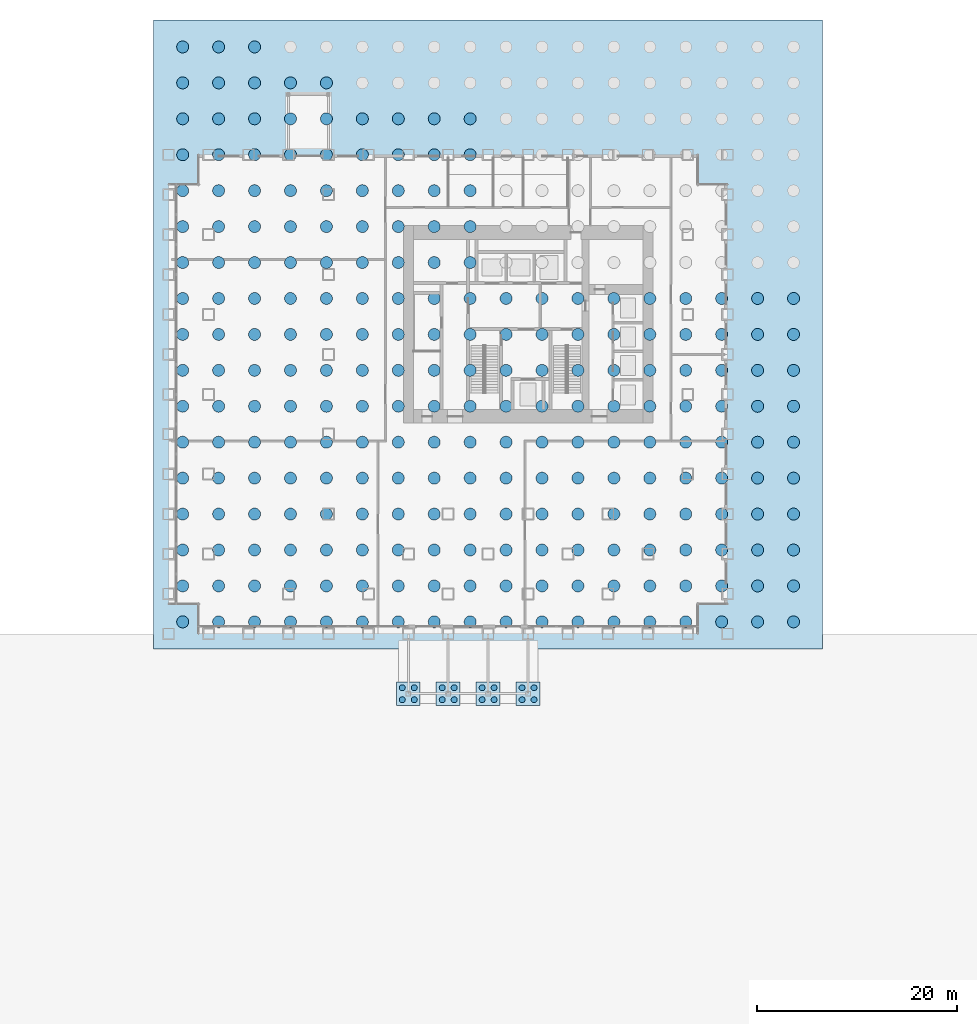
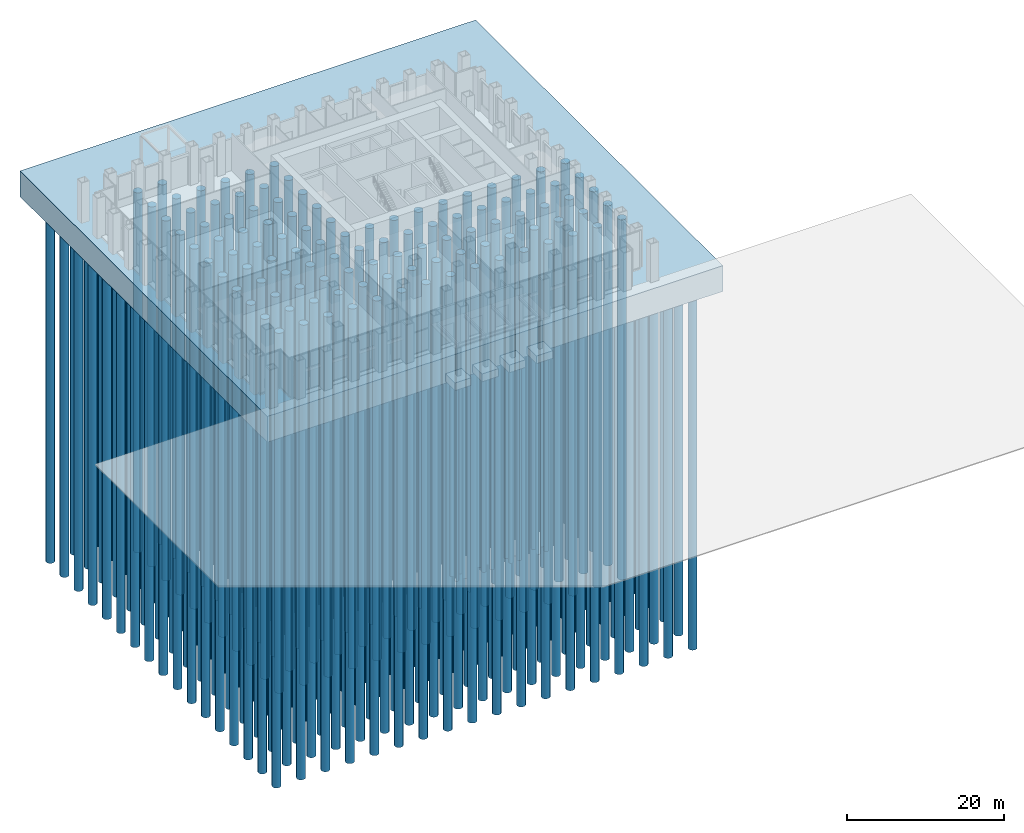
# One storey, part 1 of 17: 249 piles, 5 footings.
"""IFC4 building model written with IfcOpenShell, lengths in metres."""

from ifc_helpers import new_model, si_unit, direction, frame, origin, origin_2d, place, context, subcontext, project, spatial, polyline, rectangle, circle, outline, extrude, material, layer, layer_set, material_profile, profile_set, type_object, element, save


model = new_model("IFC4")

# Units and contexts
model_context = context("Model", 3, precision=1e-05, world=origin(), true_north=direction((0.0, 1.0)))
body_context = subcontext(model_context, "Body", "Model", "MODEL_VIEW")
ifc_project = project(units=[si_unit("LENGTHUNIT", "METRE"), si_unit("AREAUNIT", "SQUARE_METRE"), si_unit("VOLUMEUNIT", "CUBIC_METRE"), si_unit("PLANEANGLEUNIT", "RADIAN"), si_unit("MASSUNIT", "GRAM", prefix="KILO")], contexts=[model_context])

# Site, building, storey
site_placement = place(None, origin())
site = spatial("IfcSite", under=ifc_project, at=site_placement, CompositionType="ELEMENT")
building_placement = place(site_placement, origin())
building = spatial("IfcBuilding", under=site, at=building_placement, Name="Rimbunsela Tower", CompositionType="ELEMENT")
storey_placement = place(building_placement, origin())
storey = spatial("IfcBuildingStorey", under=building, at=storey_placement, Name="L00", CompositionType="ELEMENT", Elevation=0.0)

# Piles
ifc_material_1 = material(Name="Concrete fc' 35 MPa", Category="concrete")
ifc_material_profile_1 = material_profile(ifc_material_1, circle(Radius=0.60009765625, at=origin_2d()), Name="BP D1200")
ifc_profile_set_1 = profile_set([ifc_material_profile_1], Name="Concrete fc' 35 MPa")
pile_type_1 = type_object("IfcPileType", Name="Bored pile D1200", PredefinedType="BORED", material=ifc_profile_set_1)
for number, where, z_axis, x_axis, name in (
    (1, (-4.60009765625, -2.800048828125, -4.300048828125), (0.0, 0.0, -1.0), (1.0, 0.0, 0.0), "Bored pile 1-1"),
    (2, (-4.60009765625, 0.800048828125, -4.300048828125), (0.0, 0.0, -1.0), (1.0, 0.0, 0.0), "Bored pile 1-2"),
    (3, (-4.60009765625, 4.39990234375, -4.300048828125), (0.0, 0.0, -1.0), (1.0, 0.0, 0.0), "Bored pile 1-3"),
    (4, (-4.60009765625, 8.0, -4.300048828125), (0.0, 0.0, -1.0), (1.0, 0.0, 0.0), "Bored pile 1-4"),
    (5, (-4.60009765625, 11.60009765625, -4.300048828125), (0.0, 0.0, -1.0), (1.0, 0.0, 0.0), "Bored pile 1-5"),
    (6, (-4.60009765625, 15.199951171875, -4.300048828125), (0.0, 0.0, -1.0), (1.0, 0.0, 0.0), "Bored pile 1-6"),
    (7, (-4.60009765625, 18.800048828125, -4.300048828125), (0.0, 0.0, -1.0), (1.0, 0.0, 0.0), "Bored pile 1-7"),
    (8, (-4.60009765625, 22.39990234375, -4.300048828125), (0.0, 0.0, -1.0), (1.0, 0.0, 0.0), "Bored pile 1-8"),
    (9, (-4.60009765625, 26.0, -4.300048828125), (0.0, 0.0, -1.0), (1.0, 0.0, 0.0), "Bored pile 1-9"),
    (10, (-4.60009765625, 29.60009765625, -4.300048828125), (0.0, 0.0, -1.0), (1.0, 0.0, 0.0), "Bored pile 1-10"),
    (11, (-4.60009765625, 33.199951171875, -4.300048828125), (0.0, 0.0, -1.0), (1.0, 0.0, 0.0), "Bored pile 1-11"),
    (12, (-4.60009765625, 36.800048828125, -4.300048828125), (0.0, 0.0, -1.0), (1.0, 0.0, 0.0), "Bored pile 1-12"),
    (13, (-4.60009765625, 40.39990234375, -4.300048828125), (0.0, 0.0, -1.0), (1.0, 0.0, 0.0), "Bored pile 1-13"),
    (14, (-4.60009765625, 44.0, -4.300048828125), (0.0, 0.0, -1.0), (1.0, 0.0, 0.0), "Bored pile 1-14"),
    (15, (-4.60009765625, 47.60009765625, -4.300048828125), (0.0, 0.0, -1.0), (1.0, 0.0, 0.0), "Bored pile 1-15"),
    (16, (-4.60009765625, 51.199951171875, -4.300048828125), (0.0, 0.0, -1.0), (1.0, 0.0, 0.0), "Bored pile 1-16"),
    (17, (-4.60009765625, 54.800048828125, -4.300048828125), (0.0, 0.0, -1.0), (1.0, 0.0, 0.0), "Bored pile 1-17"),
    (18, (-1.0, -2.800048828125, -4.300048828125), (0.0, 0.0, -1.0), (1.0, 0.0, 0.0), "Bored pile 2-1"),
    (19, (-1.0, 0.800048828125, -4.300048828125), (0.0, 0.0, -1.0), (1.0, 0.0, 0.0), "Bored pile 2-2"),
    (20, (-1.0, 4.39990234375, -4.300048828125), (0.0, 0.0, -1.0), (1.0, 0.0, 0.0), "Bored pile 2-3"),
    (21, (-1.0, 8.0, -4.300048828125), (0.0, 0.0, -1.0), (1.0, 0.0, 0.0), "Bored pile 2-4"),
    (22, (-1.0, 11.60009765625, -4.300048828125), (0.0, 0.0, -1.0), (1.0, 0.0, 0.0), "Bored pile 2-5"),
    (23, (-1.0, 15.199951171875, -4.300048828125), (0.0, 0.0, -1.0), (1.0, 0.0, 0.0), "Bored pile 2-6"),
    (24, (-1.0, 18.800048828125, -4.300048828125), (0.0, 0.0, -1.0), (1.0, 0.0, 0.0), "Bored pile 2-7"),
    (25, (-1.0, 22.39990234375, -4.300048828125), (0.0, 0.0, -1.0), (1.0, 0.0, 0.0), "Bored pile 2-8"),
    (26, (-1.0, 26.0, -4.300048828125), (0.0, 0.0, -1.0), (1.0, 0.0, 0.0), "Bored pile 2-9"),
    (27, (-1.0, 29.60009765625, -4.300048828125), (0.0, 0.0, -1.0), (1.0, 0.0, 0.0), "Bored pile 2-10"),
    (28, (-1.0, 33.199951171875, -4.300048828125), (0.0, 0.0, -1.0), (1.0, 0.0, 0.0), "Bored pile 2-11"),
    (29, (-1.0, 36.800048828125, -4.300048828125), (0.0, 0.0, -1.0), (1.0, 0.0, 0.0), "Bored pile 2-12"),
    (30, (-1.0, 40.39990234375, -4.300048828125), (0.0, 0.0, -1.0), (1.0, 0.0, 0.0), "Bored pile 2-13"),
    (31, (-1.0, 44.0, -4.300048828125), (0.0, 0.0, -1.0), (1.0, 0.0, 0.0), "Bored pile 2-14"),
    (32, (-1.0, 47.60009765625, -4.300048828125), (0.0, 0.0, -1.0), (1.0, 0.0, 0.0), "Bored pile 2-15"),
    (33, (-1.0, 51.199951171875, -4.300048828125), (0.0, 0.0, -1.0), (1.0, 0.0, 0.0), "Bored pile 2-16"),
    (34, (-1.0, 54.800048828125, -4.300048828125), (0.0, 0.0, -1.0), (1.0, 0.0, 0.0), "Bored pile 2-17"),
    (35, (2.60009765625, -2.800048828125, -4.300048828125), (0.0, 0.0, -1.0), (1.0, 0.0, 0.0), "Bored pile 3-1"),
    (36, (2.60009765625, 0.800048828125, -4.300048828125), (0.0, 0.0, -1.0), (1.0, 0.0, 0.0), "Bored pile 3-2"),
    (37, (2.60009765625, 4.39990234375, -4.300048828125), (0.0, 0.0, -1.0), (1.0, 0.0, 0.0), "Bored pile 3-3"),
    (38, (2.60009765625, 8.0, -4.300048828125), (0.0, 0.0, -1.0), (1.0, 0.0, 0.0), "Bored pile 3-4"),
    (39, (2.60009765625, 11.60009765625, -4.300048828125), (0.0, 0.0, -1.0), (1.0, 0.0, 0.0), "Bored pile 3-5"),
    (40, (2.60009765625, 15.199951171875, -4.300048828125), (0.0, 0.0, -1.0), (1.0, 0.0, 0.0), "Bored pile 3-6"),
    (41, (2.60009765625, 18.800048828125, -4.300048828125), (0.0, 0.0, -1.0), (1.0, 0.0, 0.0), "Bored pile 3-7"),
    (42, (2.60009765625, 22.39990234375, -4.300048828125), (0.0, 0.0, -1.0), (1.0, 0.0, 0.0), "Bored pile 3-8"),
    (43, (2.60009765625, 26.0, -4.300048828125), (0.0, 0.0, -1.0), (1.0, 0.0, 0.0), "Bored pile 3-9"),
    (44, (2.60009765625, 29.60009765625, -4.300048828125), (0.0, 0.0, -1.0), (1.0, 0.0, 0.0), "Bored pile 3-10"),
    (45, (2.60009765625, 33.199951171875, -4.300048828125), (0.0, 0.0, -1.0), (1.0, 0.0, 0.0), "Bored pile 3-11"),
    (46, (2.60009765625, 36.800048828125, -4.300048828125), (0.0, 0.0, -1.0), (1.0, 0.0, 0.0), "Bored pile 3-12"),
    (47, (2.60009765625, 40.39990234375, -4.300048828125), (0.0, 0.0, -1.0), (1.0, 0.0, 0.0), "Bored pile 3-13"),
    (48, (2.60009765625, 44.0, -4.300048828125), (0.0, 0.0, -1.0), (1.0, 0.0, 0.0), "Bored pile 3-14"),
    (49, (2.60009765625, 47.60009765625, -4.300048828125), (0.0, 0.0, -1.0), (1.0, 0.0, 0.0), "Bored pile 3-15"),
    (50, (2.60009765625, 51.199951171875, -4.300048828125), (0.0, 0.0, -1.0), (1.0, 0.0, 0.0), "Bored pile 3-16"),
    (51, (2.60009765625, 54.800048828125, -4.300048828125), (0.0, 0.0, -1.0), (1.0, 0.0, 0.0), "Bored pile 3-17"),
    (52, (6.199951171875, -2.800048828125, -4.300048828125), (0.0, 0.0, -1.0), (1.0, 0.0, 0.0), "Bored pile 4-1"),
    (53, (6.199951171875, 0.800048828125, -4.300048828125), (0.0, 0.0, -1.0), (1.0, 0.0, 0.0), "Bored pile 4-2"),
    (54, (6.199951171875, 4.39990234375, -4.300048828125), (0.0, 0.0, -1.0), (1.0, 0.0, 0.0), "Bored pile 4-3"),
    (55, (6.199951171875, 8.0, -4.300048828125), (0.0, 0.0, -1.0), (1.0, 0.0, 0.0), "Bored pile 4-4"),
    (56, (6.199951171875, 11.60009765625, -4.300048828125), (0.0, 0.0, -1.0), (1.0, 0.0, 0.0), "Bored pile 4-5"),
    (57, (6.199951171875, 15.199951171875, -4.300048828125), (0.0, 0.0, -1.0), (1.0, 0.0, 0.0), "Bored pile 4-6"),
    (58, (6.199951171875, 18.800048828125, -4.300048828125), (0.0, 0.0, -1.0), (1.0, 0.0, 0.0), "Bored pile 4-7"),
    (59, (6.199951171875, 22.39990234375, -4.300048828125), (0.0, 0.0, -1.0), (1.0, 0.0, 0.0), "Bored pile 4-8"),
    (60, (6.199951171875, 26.0, -4.300048828125), (0.0, 0.0, -1.0), (1.0, 0.0, 0.0), "Bored pile 4-9"),
    (61, (6.199951171875, 29.60009765625, -4.300048828125), (0.0, 0.0, -1.0), (1.0, 0.0, 0.0), "Bored pile 4-10"),
    (62, (6.199951171875, 33.199951171875, -4.300048828125), (0.0, 0.0, -1.0), (1.0, 0.0, 0.0), "Bored pile 4-11"),
    (63, (6.199951171875, 36.800048828125, -4.300048828125), (0.0, 0.0, -1.0), (1.0, 0.0, 0.0), "Bored pile 4-12"),
    (64, (6.199951171875, 40.39990234375, -4.300048828125), (0.0, 0.0, -1.0), (1.0, 0.0, 0.0), "Bored pile 4-13"),
    (65, (6.199951171875, 44.0, -4.300048828125), (0.0, 0.0, -1.0), (1.0, 0.0, 0.0), "Bored pile 4-14"),
    (66, (6.199951171875, 47.60009765625, -4.300048828125), (0.0, 0.0, -1.0), (1.0, 0.0, 0.0), "Bored pile 4-15"),
    (67, (6.199951171875, 51.199951171875, -4.300048828125), (0.0, 0.0, -1.0), (1.0, 0.0, 0.0), "Bored pile 4-16"),
    (68, (9.800048828125, -2.800048828125, -4.300048828125), (0.0, 0.0, -1.0), (1.0, 0.0, 0.0), "Bored pile 5-1"),
    (69, (9.800048828125, 0.800048828125, -4.300048828125), (0.0, 0.0, -1.0), (1.0, 0.0, 0.0), "Bored pile 5-2"),
    (70, (9.800048828125, 4.39990234375, -4.300048828125), (0.0, 0.0, -1.0), (1.0, 0.0, 0.0), "Bored pile 5-3"),
    (71, (9.800048828125, 8.0, -4.300048828125), (0.0, 0.0, -1.0), (1.0, 0.0, 0.0), "Bored pile 5-4"),
    (72, (9.800048828125, 11.60009765625, -4.300048828125), (0.0, 0.0, -1.0), (1.0, 0.0, 0.0), "Bored pile 5-5"),
    (73, (9.800048828125, 15.199951171875, -4.300048828125), (0.0, 0.0, -1.0), (1.0, 0.0, 0.0), "Bored pile 5-6"),
    (74, (9.800048828125, 18.800048828125, -4.300048828125), (0.0, 0.0, -1.0), (1.0, 0.0, 0.0), "Bored pile 5-7"),
    (75, (9.800048828125, 22.39990234375, -4.300048828125), (0.0, 0.0, -1.0), (1.0, 0.0, 0.0), "Bored pile 5-8"),
    (76, (9.800048828125, 26.0, -4.300048828125), (0.0, 0.0, -1.0), (1.0, 0.0, 0.0), "Bored pile 5-9"),
    (77, (9.800048828125, 29.60009765625, -4.300048828125), (0.0, 0.0, -1.0), (1.0, 0.0, 0.0), "Bored pile 5-10"),
    (78, (9.800048828125, 33.199951171875, -4.300048828125), (0.0, 0.0, -1.0), (1.0, 0.0, 0.0), "Bored pile 5-11"),
    (79, (9.800048828125, 36.800048828125, -4.300048828125), (0.0, 0.0, -1.0), (1.0, 0.0, 0.0), "Bored pile 5-12"),
    (80, (9.800048828125, 40.39990234375, -4.300048828125), (0.0, 0.0, -1.0), (1.0, 0.0, 0.0), "Bored pile 5-13"),
    (81, (9.800048828125, 44.0, -4.300048828125), (0.0, 0.0, -1.0), (1.0, 0.0, 0.0), "Bored pile 5-14"),
    (82, (9.800048828125, 47.60009765625, -4.300048828125), (0.0, 0.0, -1.0), (1.0, 0.0, 0.0), "Bored pile 5-15"),
    (83, (9.800048828125, 51.199951171875, -4.300048828125), (0.0, 0.0, -1.0), (1.0, 0.0, 0.0), "Bored pile 5-16"),
    (84, (13.39990234375, -2.800048828125, -4.300048828125), (0.0, 0.0, -1.0), (1.0, 0.0, 0.0), "Bored pile 6-1"),
    (85, (13.39990234375, 0.800048828125, -4.300048828125), (0.0, 0.0, -1.0), (1.0, 0.0, 0.0), "Bored pile 6-2"),
    (86, (13.39990234375, 4.39990234375, -4.300048828125), (0.0, 0.0, -1.0), (1.0, 0.0, 0.0), "Bored pile 6-3"),
    (87, (13.39990234375, 8.0, -4.300048828125), (0.0, 0.0, -1.0), (1.0, 0.0, 0.0), "Bored pile 6-4"),
    (88, (13.39990234375, 11.60009765625, -4.300048828125), (0.0, 0.0, -1.0), (1.0, 0.0, 0.0), "Bored pile 6-5"),
    (89, (13.39990234375, 15.199951171875, -4.300048828125), (0.0, 0.0, -1.0), (1.0, 0.0, 0.0), "Bored pile 6-6"),
    (90, (13.39990234375, 18.800048828125, -4.300048828125), (0.0, 0.0, -1.0), (1.0, 0.0, 0.0), "Bored pile 6-7"),
    (91, (13.39990234375, 22.39990234375, -4.300048828125), (0.0, 0.0, -1.0), (1.0, 0.0, 0.0), "Bored pile 6-8"),
    (92, (13.39990234375, 26.0, -4.300048828125), (0.0, 0.0, -1.0), (1.0, 0.0, 0.0), "Bored pile 6-9"),
    (93, (13.39990234375, 29.60009765625, -4.300048828125), (0.0, 0.0, -1.0), (1.0, 0.0, 0.0), "Bored pile 6-10"),
    (94, (13.39990234375, 33.199951171875, -4.300048828125), (0.0, 0.0, -1.0), (1.0, 0.0, 0.0), "Bored pile 6-11"),
    (95, (13.39990234375, 36.800048828125, -4.300048828125), (0.0, 0.0, -1.0), (1.0, 0.0, 0.0), "Bored pile 6-12"),
    (96, (13.39990234375, 40.39990234375, -4.300048828125), (0.0, 0.0, -1.0), (1.0, 0.0, 0.0), "Bored pile 6-13"),
    (97, (13.39990234375, 44.0, -4.300048828125), (0.0, 0.0, -1.0), (1.0, 0.0, 0.0), "Bored pile 6-14"),
    (98, (13.39990234375, 47.60009765625, -4.300048828125), (0.0, 0.0, -1.0), (1.0, 0.0, 0.0), "Bored pile 6-15"),
    (99, (17.0, -2.800048828125, -4.300048828125), (0.0, 0.0, -1.0), (1.0, 0.0, 0.0), "Bored pile 7-1"),
    (100, (17.0, 0.800048828125, -4.300048828125), (0.0, 0.0, -1.0), (1.0, 0.0, 0.0), "Bored pile 7-2"),
    (101, (17.0, 4.39990234375, -4.300048828125), (0.0, 0.0, -1.0), (1.0, 0.0, 0.0), "Bored pile 7-3"),
    (102, (17.0, 8.0, -4.300048828125), (0.0, 0.0, -1.0), (1.0, 0.0, 0.0), "Bored pile 7-4"),
    (103, (17.0, 11.60009765625, -4.300048828125), (0.0, 0.0, -1.0), (1.0, 0.0, 0.0), "Bored pile 7-5"),
    (104, (17.0, 15.199951171875, -4.300048828125), (0.0, 0.0, -1.0), (1.0, 0.0, 0.0), "Bored pile 7-6"),
    (105, (17.0, 18.800048828125, -4.300048828125), (0.0, 0.0, -1.0), (1.0, 0.0, 0.0), "Bored pile 7-7"),
    (106, (17.0, 22.39990234375, -4.300048828125), (0.0, 0.0, -1.0), (1.0, 0.0, 0.0), "Bored pile 7-8"),
    (107, (17.0, 26.0, -4.300048828125), (0.0, 0.0, -1.0), (1.0, 0.0, 0.0), "Bored pile 7-9"),
    (108, (17.0, 29.60009765625, -4.300048828125), (0.0, 0.0, -1.0), (1.0, 0.0, 0.0), "Bored pile 7-10"),
    (109, (17.0, 33.199951171875, -4.300048828125), (0.0, 0.0, -1.0), (1.0, 0.0, 0.0), "Bored pile 7-11"),
    (110, (17.0, 36.800048828125, -4.300048828125), (0.0, 0.0, -1.0), (1.0, 0.0, 0.0), "Bored pile 7-12"),
    (111, (17.0, 40.39990234375, -4.300048828125), (0.0, 0.0, -1.0), (1.0, 0.0, 0.0), "Bored pile 7-13"),
    (112, (17.0, 44.0, -4.300048828125), (0.0, 0.0, -1.0), (1.0, 0.0, 0.0), "Bored pile 7-14"),
    (113, (17.0, 47.60009765625, -4.300048828125), (0.0, 0.0, -1.0), (1.0, 0.0, 0.0), "Bored pile 7-15"),
    (114, (20.60009765625, -2.800048828125, -4.300048828125), (0.0, 0.0, -1.0), (1.0, 0.0, 0.0), "Bored pile 8-1"),
    (115, (20.60009765625, 0.800048828125, -4.300048828125), (0.0, 0.0, -1.0), (1.0, 0.0, 0.0), "Bored pile 8-2"),
    (116, (20.60009765625, 4.39990234375, -4.300048828125), (0.0, 0.0, -1.0), (1.0, 0.0, 0.0), "Bored pile 8-3"),
    (117, (20.60009765625, 8.0, -4.300048828125), (0.0, 0.0, -1.0), (1.0, 0.0, 0.0), "Bored pile 8-4"),
    (118, (20.60009765625, 11.60009765625, -4.300048828125), (0.0, 0.0, -1.0), (1.0, 0.0, 0.0), "Bored pile 8-5"),
    (119, (20.60009765625, 15.199951171875, -4.300048828125), (0.0, 0.0, -1.0), (1.0, 0.0, 0.0), "Bored pile 8-6"),
    (120, (20.60009765625, 18.800048828125, -4.300048828125), (0.0, 0.0, -1.0), (1.0, 0.0, 0.0), "Bored pile 8-7"),
    (121, (20.60009765625, 22.39990234375, -4.300048828125), (0.0, 0.0, -1.0), (1.0, 0.0, 0.0), "Bored pile 8-8"),
    (122, (20.60009765625, 26.0, -4.300048828125), (0.0, 0.0, -1.0), (1.0, 0.0, 0.0), "Bored pile 8-9"),
    (123, (20.60009765625, 29.60009765625, -4.300048828125), (0.0, 0.0, -1.0), (1.0, 0.0, 0.0), "Bored pile 8-10"),
    (124, (20.60009765625, 33.199951171875, -4.300048828125), (0.0, 0.0, -1.0), (1.0, 0.0, 0.0), "Bored pile 8-11"),
    (125, (20.60009765625, 36.800048828125, -4.300048828125), (0.0, 0.0, -1.0), (1.0, 0.0, 0.0), "Bored pile 8-12"),
    (126, (20.60009765625, 40.39990234375, -4.300048828125), (0.0, 0.0, -1.0), (1.0, 0.0, 0.0), "Bored pile 8-13"),
    (127, (20.60009765625, 44.0, -4.300048828125), (0.0, 0.0, -1.0), (1.0, 0.0, 0.0), "Bored pile 8-14"),
    (128, (20.60009765625, 47.60009765625, -4.300048828125), (0.0, 0.0, -1.0), (1.0, 0.0, 0.0), "Bored pile 8-15"),
    (129, (24.199951171875, -2.800048828125, -4.300048828125), (0.0, 0.0, -1.0), (1.0, 0.0, 0.0), "Bored pile 9-1"),
    (130, (24.199951171875, 0.800048828125, -4.300048828125), (0.0, 0.0, -1.0), (1.0, 0.0, 0.0), "Bored pile 9-2"),
    (131, (24.199951171875, 4.39990234375, -4.300048828125), (0.0, 0.0, -1.0), (1.0, 0.0, 0.0), "Bored pile 9-3"),
    (132, (24.199951171875, 8.0, -4.300048828125), (0.0, 0.0, -1.0), (1.0, 0.0, 0.0), "Bored pile 9-4"),
    (133, (24.199951171875, 11.60009765625, -4.300048828125), (0.0, 0.0, -1.0), (1.0, 0.0, 0.0), "Bored pile 9-5"),
    (134, (24.199951171875, 15.199951171875, -4.300048828125), (0.0, 0.0, -1.0), (1.0, 0.0, 0.0), "Bored pile 9-6"),
    (135, (24.199951171875, 18.800048828125, -4.300048828125), (0.0, 0.0, -1.0), (1.0, 0.0, 0.0), "Bored pile 9-7"),
    (136, (24.199951171875, 22.39990234375, -4.300048828125), (0.0, 0.0, -1.0), (1.0, 0.0, 0.0), "Bored pile 9-8"),
    (137, (24.199951171875, 26.0, -4.300048828125), (0.0, 0.0, -1.0), (1.0, 0.0, 0.0), "Bored pile 9-9"),
    (138, (24.199951171875, 29.60009765625, -4.300048828125), (0.0, 0.0, -1.0), (1.0, 0.0, 0.0), "Bored pile 9-10"),
    (139, (24.199951171875, 33.199951171875, -4.300048828125), (0.0, 0.0, -1.0), (1.0, 0.0, 0.0), "Bored pile 9-11"),
    (140, (24.199951171875, 36.800048828125, -4.300048828125), (0.0, 0.0, -1.0), (1.0, 0.0, 0.0), "Bored pile 9-12"),
    (141, (24.199951171875, 40.39990234375, -4.300048828125), (0.0, 0.0, -1.0), (1.0, 0.0, 0.0), "Bored pile 9-13"),
    (142, (24.199951171875, 44.0, -4.300048828125), (0.0, 0.0, -1.0), (1.0, 0.0, 0.0), "Bored pile 9-14"),
    (143, (24.199951171875, 47.60009765625, -4.300048828125), (0.0, 0.0, -1.0), (1.0, 0.0, 0.0), "Bored pile 9-15"),
    (144, (27.800048828125, -2.800048828125, -4.300048828125), (0.0, 0.0, -1.0), (1.0, 0.0, 0.0), "Bored pile 10-1"),
    (145, (27.800048828125, 0.800048828125, -4.300048828125), (0.0, 0.0, -1.0), (1.0, 0.0, 0.0), "Bored pile 10-2"),
    (146, (27.800048828125, 4.39990234375, -4.300048828125), (0.0, 0.0, -1.0), (1.0, 0.0, 0.0), "Bored pile 10-3"),
    (147, (27.800048828125, 8.0, -4.300048828125), (0.0, 0.0, -1.0), (1.0, 0.0, 0.0), "Bored pile 10-4"),
    (148, (27.800048828125, 11.60009765625, -4.300048828125), (0.0, 0.0, -1.0), (1.0, 0.0, 0.0), "Bored pile 10-5"),
    (149, (27.800048828125, 15.199951171875, -4.300048828125), (0.0, 0.0, -1.0), (1.0, 0.0, 0.0), "Bored pile 10-6"),
    (150, (27.800048828125, 18.800048828125, -4.300048828125), (0.0, 0.0, -1.0), (1.0, 0.0, 0.0), "Bored pile 10-7"),
    (151, (27.800048828125, 22.39990234375, -4.300048828125), (0.0, 0.0, -1.0), (1.0, 0.0, 0.0), "Bored pile 10-8"),
    (152, (27.800048828125, 26.0, -4.300048828125), (0.0, 0.0, -1.0), (1.0, 0.0, 0.0), "Bored pile 10-9"),
    (153, (27.800048828125, 29.60009765625, -4.300048828125), (0.0, 0.0, -1.0), (1.0, 0.0, 0.0), "Bored pile 10-10"),
    (154, (31.39990234375, -2.800048828125, -4.300048828125), (0.0, 0.0, -1.0), (1.0, 0.0, 0.0), "Bored pile 11-1"),
    (155, (31.39990234375, 0.800048828125, -4.300048828125), (0.0, 0.0, -1.0), (1.0, 0.0, 0.0), "Bored pile 11-2"),
    (156, (31.39990234375, 4.39990234375, -4.300048828125), (0.0, 0.0, -1.0), (1.0, 0.0, 0.0), "Bored pile 11-3"),
    (157, (31.39990234375, 8.0, -4.300048828125), (0.0, 0.0, -1.0), (1.0, 0.0, 0.0), "Bored pile 11-4"),
    (158, (31.39990234375, 11.60009765625, -4.300048828125), (0.0, 0.0, -1.0), (1.0, 0.0, 0.0), "Bored pile 11-5"),
    (159, (31.39990234375, 15.199951171875, -4.300048828125), (0.0, 0.0, -1.0), (1.0, 0.0, 0.0), "Bored pile 11-6"),
    (160, (31.39990234375, 18.800048828125, -4.300048828125), (0.0, 0.0, -1.0), (1.0, 0.0, 0.0), "Bored pile 11-7"),
    (161, (31.39990234375, 22.39990234375, -4.300048828125), (0.0, 0.0, -1.0), (1.0, 0.0, 0.0), "Bored pile 11-8"),
    (162, (31.39990234375, 26.0, -4.300048828125), (0.0, 0.0, -1.0), (1.0, 0.0, 0.0), "Bored pile 11-9"),
    (163, (31.39990234375, 29.60009765625, -4.300048828125), (0.0, 0.0, -1.0), (1.0, 0.0, 0.0), "Bored pile 11-10"),
    (164, (35.0, -2.800048828125, -4.300048828125), (0.0, 0.0, -1.0), (1.0, 0.0, 0.0), "Bored pile 12-1"),
    (165, (35.0, 0.800048828125, -4.300048828125), (0.0, 0.0, -1.0), (1.0, 0.0, 0.0), "Bored pile 12-2"),
    (166, (35.0, 4.39990234375, -4.300048828125), (0.0, 0.0, -1.0), (1.0, 0.0, 0.0), "Bored pile 12-3"),
    (167, (35.0, 8.0, -4.300048828125), (0.0, 0.0, -1.0), (1.0, 0.0, 0.0), "Bored pile 12-4"),
    (168, (35.0, 11.60009765625, -4.300048828125), (0.0, 0.0, -1.0), (1.0, 0.0, 0.0), "Bored pile 12-5"),
    (169, (35.0, 15.199951171875, -4.300048828125), (0.0, 0.0, -1.0), (1.0, 0.0, 0.0), "Bored pile 12-6"),
    (170, (35.0, 18.800048828125, -4.300048828125), (0.0, 0.0, -1.0), (1.0, 0.0, 0.0), "Bored pile 12-7"),
    (171, (35.0, 22.39990234375, -4.300048828125), (0.0, 0.0, -1.0), (1.0, 0.0, 0.0), "Bored pile 12-8"),
    (172, (35.0, 26.0, -4.300048828125), (0.0, 0.0, -1.0), (1.0, 0.0, 0.0), "Bored pile 12-9"),
    (173, (35.0, 29.60009765625, -4.300048828125), (0.0, 0.0, -1.0), (1.0, 0.0, 0.0), "Bored pile 12-10"),
    (174, (38.60009765625, -2.800048828125, -4.300048828125), (0.0, 0.0, -1.0), (1.0, 0.0, 0.0), "Bored pile 13-1"),
    (175, (38.60009765625, 0.800048828125, -4.300048828125), (0.0, 0.0, -1.0), (1.0, 0.0, 0.0), "Bored pile 13-2"),
    (176, (38.60009765625, 4.39990234375, -4.300048828125), (0.0, 0.0, -1.0), (1.0, 0.0, 0.0), "Bored pile 13-3"),
    (177, (38.60009765625, 8.0, -4.300048828125), (0.0, 0.0, -1.0), (1.0, 0.0, 0.0), "Bored pile 13-4"),
    (178, (38.60009765625, 11.60009765625, -4.300048828125), (0.0, 0.0, -1.0), (1.0, 0.0, 0.0), "Bored pile 13-5"),
    (179, (38.60009765625, 15.199951171875, -4.300048828125), (0.0, 0.0, -1.0), (1.0, 0.0, 0.0), "Bored pile 13-6"),
    (180, (38.60009765625, 18.800048828125, -4.300048828125), (0.0, 0.0, -1.0), (1.0, 0.0, 0.0), "Bored pile 13-7"),
    (181, (38.60009765625, 22.39990234375, -4.300048828125), (0.0, 0.0, -1.0), (1.0, 0.0, 0.0), "Bored pile 13-8"),
    (182, (38.60009765625, 26.0, -4.300048828125), (0.0, 0.0, -1.0), (1.0, 0.0, 0.0), "Bored pile 13-9"),
    (183, (38.60009765625, 29.60009765625, -4.300048828125), (0.0, 0.0, -1.0), (1.0, 0.0, 0.0), "Bored pile 13-10"),
    (184, (42.199951171875, -2.800048828125, -4.300048828125), (0.0, 0.0, -1.0), (1.0, 0.0, 0.0), "Bored pile 14-1"),
    (185, (42.199951171875, 0.800048828125, -4.300048828125), (0.0, 0.0, -1.0), (1.0, 0.0, 0.0), "Bored pile 14-2"),
    (186, (42.199951171875, 4.39990234375, -4.300048828125), (0.0, 0.0, -1.0), (1.0, 0.0, 0.0), "Bored pile 14-3"),
    (187, (42.199951171875, 8.0, -4.300048828125), (0.0, 0.0, -1.0), (1.0, 0.0, 0.0), "Bored pile 14-4"),
    (188, (42.199951171875, 11.60009765625, -4.300048828125), (0.0, 0.0, -1.0), (1.0, 0.0, 0.0), "Bored pile 14-5"),
    (189, (42.199951171875, 15.199951171875, -4.300048828125), (0.0, 0.0, -1.0), (1.0, 0.0, 0.0), "Bored pile 14-6"),
    (190, (42.199951171875, 18.800048828125, -4.300048828125), (0.0, 0.0, -1.0), (1.0, 0.0, 0.0), "Bored pile 14-7"),
    (191, (42.199951171875, 22.39990234375, -4.300048828125), (0.0, 0.0, -1.0), (1.0, 0.0, 0.0), "Bored pile 14-8"),
    (192, (42.199951171875, 26.0, -4.300048828125), (0.0, 0.0, -1.0), (1.0, 0.0, 0.0), "Bored pile 14-9"),
    (193, (42.199951171875, 29.60009765625, -4.300048828125), (0.0, 0.0, -1.0), (1.0, 0.0, 0.0), "Bored pile 14-10"),
    (194, (45.800048828125, -2.800048828125, -4.300048828125), (0.0, 0.0, -1.0), (1.0, 0.0, 0.0), "Bored pile 15-1"),
    (195, (45.800048828125, 0.800048828125, -4.300048828125), (0.0, 0.0, -1.0), (1.0, 0.0, 0.0), "Bored pile 15-2"),
    (196, (45.800048828125, 4.39990234375, -4.300048828125), (0.0, 0.0, -1.0), (1.0, 0.0, 0.0), "Bored pile 15-3"),
    (197, (45.800048828125, 8.0, -4.300048828125), (0.0, 0.0, -1.0), (1.0, 0.0, 0.0), "Bored pile 15-4"),
    (198, (45.800048828125, 11.60009765625, -4.300048828125), (0.0, 0.0, -1.0), (1.0, 0.0, 0.0), "Bored pile 15-5"),
    (199, (45.800048828125, 15.199951171875, -4.300048828125), (0.0, 0.0, -1.0), (1.0, 0.0, 0.0), "Bored pile 15-6"),
    (200, (45.800048828125, 18.800048828125, -4.300048828125), (0.0, 0.0, -1.0), (1.0, 0.0, 0.0), "Bored pile 15-7"),
    (201, (45.800048828125, 22.39990234375, -4.300048828125), (0.0, 0.0, -1.0), (1.0, 0.0, 0.0), "Bored pile 15-8"),
    (202, (45.800048828125, 26.0, -4.300048828125), (0.0, 0.0, -1.0), (1.0, 0.0, 0.0), "Bored pile 15-9"),
    (203, (45.800048828125, 29.60009765625, -4.300048828125), (0.0, 0.0, -1.0), (1.0, 0.0, 0.0), "Bored pile 15-10"),
    (204, (49.39990234375, -2.800048828125, -4.300048828125), (0.0, 0.0, -1.0), (1.0, 0.0, 0.0), "Bored pile 16-1"),
    (205, (49.39990234375, 0.800048828125, -4.300048828125), (0.0, 0.0, -1.0), (1.0, 0.0, 0.0), "Bored pile 16-2"),
    (206, (49.39990234375, 4.39990234375, -4.300048828125), (0.0, 0.0, -1.0), (1.0, 0.0, 0.0), "Bored pile 16-3"),
    (207, (49.39990234375, 8.0, -4.300048828125), (0.0, 0.0, -1.0), (1.0, 0.0, 0.0), "Bored pile 16-4"),
    (208, (49.39990234375, 11.60009765625, -4.300048828125), (0.0, 0.0, -1.0), (1.0, 0.0, 0.0), "Bored pile 16-5"),
    (209, (49.39990234375, 15.199951171875, -4.300048828125), (0.0, 0.0, -1.0), (1.0, 0.0, 0.0), "Bored pile 16-6"),
    (210, (49.39990234375, 18.800048828125, -4.300048828125), (0.0, 0.0, -1.0), (1.0, 0.0, 0.0), "Bored pile 16-7"),
    (211, (49.39990234375, 22.39990234375, -4.300048828125), (0.0, 0.0, -1.0), (1.0, 0.0, 0.0), "Bored pile 16-8"),
    (212, (49.39990234375, 26.0, -4.300048828125), (0.0, 0.0, -1.0), (1.0, 0.0, 0.0), "Bored pile 16-9"),
    (213, (49.39990234375, 29.60009765625, -4.300048828125), (0.0, 0.0, -1.0), (1.0, 0.0, 0.0), "Bored pile 16-10"),
    (214, (53.0, -2.800048828125, -4.300048828125), (0.0, 0.0, -1.0), (1.0, 0.0, 0.0), "Bored pile 17-1"),
    (215, (53.0, 0.800048828125, -4.300048828125), (0.0, 0.0, -1.0), (1.0, 0.0, 0.0), "Bored pile 17-2"),
    (216, (53.0, 4.39990234375, -4.300048828125), (0.0, 0.0, -1.0), (1.0, 0.0, 0.0), "Bored pile 17-3"),
    (217, (53.0, 8.0, -4.300048828125), (0.0, 0.0, -1.0), (1.0, 0.0, 0.0), "Bored pile 17-4"),
    (218, (53.0, 11.60009765625, -4.300048828125), (0.0, 0.0, -1.0), (1.0, 0.0, 0.0), "Bored pile 17-5"),
    (219, (53.0, 15.199951171875, -4.300048828125), (0.0, 0.0, -1.0), (1.0, 0.0, 0.0), "Bored pile 17-6"),
    (220, (53.0, 18.800048828125, -4.300048828125), (0.0, 0.0, -1.0), (1.0, 0.0, 0.0), "Bored pile 17-7"),
    (221, (53.0, 22.39990234375, -4.300048828125), (0.0, 0.0, -1.0), (1.0, 0.0, 0.0), "Bored pile 17-8"),
    (222, (53.0, 26.0, -4.300048828125), (0.0, 0.0, -1.0), (1.0, 0.0, 0.0), "Bored pile 17-9"),
    (223, (53.0, 29.60009765625, -4.300048828125), (0.0, 0.0, -1.0), (1.0, 0.0, 0.0), "Bored pile 17-10"),
    (224, (56.60009765625, -2.800048828125, -4.300048828125), (0.0, 0.0, -1.0), (1.0, 0.0, 0.0), "Bored pile 18-1"),
    (225, (56.60009765625, 0.800048828125, -4.300048828125), (0.0, 0.0, -1.0), (1.0, 0.0, 0.0), "Bored pile 18-2"),
    (226, (56.60009765625, 4.39990234375, -4.300048828125), (0.0, 0.0, -1.0), (1.0, 0.0, 0.0), "Bored pile 18-3"),
    (227, (56.60009765625, 8.0, -4.300048828125), (0.0, 0.0, -1.0), (1.0, 0.0, 0.0), "Bored pile 18-4"),
    (228, (56.60009765625, 11.60009765625, -4.300048828125), (0.0, 0.0, -1.0), (1.0, 0.0, 0.0), "Bored pile 18-5"),
    (229, (56.60009765625, 15.199951171875, -4.300048828125), (0.0, 0.0, -1.0), (1.0, 0.0, 0.0), "Bored pile 18-6"),
    (230, (56.60009765625, 18.800048828125, -4.300048828125), (0.0, 0.0, -1.0), (1.0, 0.0, 0.0), "Bored pile 18-7"),
    (231, (56.60009765625, 22.39990234375, -4.300048828125), (0.0, 0.0, -1.0), (1.0, 0.0, 0.0), "Bored pile 18-8"),
    (232, (56.60009765625, 26.0, -4.300048828125), (0.0, 0.0, -1.0), (1.0, 0.0, 0.0), "Bored pile 18-9"),
    (233, (56.60009765625, 29.60009765625, -4.300048828125), (0.0, 0.0, -1.0), (1.0, 0.0, 0.0), "Bored pile 18-10"),
):
    element("IfcPile", number, at=place(storey_placement, frame(where, z_axis=z_axis, x_axis=x_axis)), inside=storey, type_object=pile_type_1, Name=name, PredefinedType="BORED", context=body_context, shape_type="SweptSolid", body=[
        extrude(circle(Radius=0.60009765625, at=origin_2d()), origin(), (0.0, 0.0, 1.0), 56.0),
    ])
ifc_material_2 = material(Name="Concrete fc' 35 MPa", Category="concrete")
ifc_material_profile_2 = material_profile(ifc_material_2, circle(Radius=0.300048828125, at=origin_2d()), Name="BP D600")
ifc_profile_set_2 = profile_set([ifc_material_profile_2], Name="Concrete fc' 35 MPa")
pile_type_2 = type_object("IfcPileType", Name="Bored pile D600", PredefinedType="BORED", material=ifc_profile_set_2)
for number, where, z_axis, x_axis, name in (
    (234, (17.39990234375, -10.60009765625, -1.35009765625), (0.0, 0.0, -1.0), (1.0, 0.0, 0.0), "Entrance canopy pile"),
    (235, (18.60009765625, -10.60009765625, -1.35009765625), (0.0, 0.0, -1.0), (1.0, 0.0, 0.0), "Entrance canopy pile"),
    (236, (17.39990234375, -9.39990234375, -1.35009765625), (0.0, 0.0, -1.0), (1.0, 0.0, 0.0), "Entrance canopy pile"),
    (237, (18.60009765625, -9.39990234375, -1.35009765625), (0.0, 0.0, -1.0), (1.0, 0.0, 0.0), "Entrance canopy pile"),
    (238, (21.39990234375, -10.60009765625, -1.35009765625), (0.0, 0.0, -1.0), (1.0, 0.0, 0.0), "Entrance canopy pile"),
    (239, (22.60009765625, -10.60009765625, -1.35009765625), (0.0, 0.0, -1.0), (1.0, 0.0, 0.0), "Entrance canopy pile"),
    (240, (21.39990234375, -9.39990234375, -1.35009765625), (0.0, 0.0, -1.0), (1.0, 0.0, 0.0), "Entrance canopy pile"),
    (241, (22.60009765625, -9.39990234375, -1.35009765625), (0.0, 0.0, -1.0), (1.0, 0.0, 0.0), "Entrance canopy pile"),
    (242, (25.39990234375, -10.60009765625, -1.35009765625), (0.0, 0.0, -1.0), (1.0, 0.0, 0.0), "Entrance canopy pile"),
    (243, (26.60009765625, -10.60009765625, -1.35009765625), (0.0, 0.0, -1.0), (1.0, 0.0, 0.0), "Entrance canopy pile"),
    (244, (25.39990234375, -9.39990234375, -1.35009765625), (0.0, 0.0, -1.0), (1.0, 0.0, 0.0), "Entrance canopy pile"),
    (245, (26.60009765625, -9.39990234375, -1.35009765625), (0.0, 0.0, -1.0), (1.0, 0.0, 0.0), "Entrance canopy pile"),
    (246, (29.39990234375, -10.60009765625, -1.35009765625), (0.0, 0.0, -1.0), (1.0, 0.0, 0.0), "Entrance canopy pile"),
    (247, (30.60009765625, -10.60009765625, -1.35009765625), (0.0, 0.0, -1.0), (1.0, 0.0, 0.0), "Entrance canopy pile"),
    (248, (29.39990234375, -9.39990234375, -1.35009765625), (0.0, 0.0, -1.0), (1.0, 0.0, 0.0), "Entrance canopy pile"),
    (249, (30.60009765625, -9.39990234375, -1.35009765625), (0.0, 0.0, -1.0), (1.0, 0.0, 0.0), "Entrance canopy pile"),
):
    element("IfcPile", number, at=place(storey_placement, frame(where, z_axis=z_axis, x_axis=x_axis)), inside=storey, type_object=pile_type_2, Name=name, PredefinedType="BORED", context=body_context, shape_type="SweptSolid", body=[
        extrude(circle(Radius=0.300048828125, at=origin_2d()), origin(), (0.0, 0.0, 1.0), 30.0),
    ])

# Footings
ifc_material_3 = material(Name="Concrete fc' 35 MPa", Category="concrete")
ifc_layer_1 = layer(ifc_material_3, 1.199951171875)
ifc_layer_set_1 = layer_set([ifc_layer_1], Name="Pile cap 2400")
footing_type_1 = type_object("IfcFootingType", Name="Pile cap 2400", PredefinedType="PILE_CAP", material=ifc_layer_set_1)
for number, where, z_axis, x_axis, name in (
    (250, (18.0, -10.0, -1.35009765625), (0.0, 0.0, 1.0), (1.0, 0.0, 0.0), "Entrance canopy pile cap"),
    (251, (22.0, -10.0, -1.35009765625), (0.0, 0.0, 1.0), (1.0, 0.0, 0.0), "Entrance canopy pile cap"),
    (252, (26.0, -10.0, -1.35009765625), (0.0, 0.0, 1.0), (1.0, 0.0, 0.0), "Entrance canopy pile cap"),
    (253, (30.0, -10.0, -1.35009765625), (0.0, 0.0, 1.0), (1.0, 0.0, 0.0), "Entrance canopy pile cap"),
):
    element("IfcFooting", number, at=place(storey_placement, frame(where, z_axis=z_axis, x_axis=x_axis)), inside=storey, type_object=footing_type_1, Name=name, PredefinedType="PILE_CAP", context=body_context, shape_type="SweptSolid", body=[
        extrude(rectangle(XDim=2.39990234375, YDim=2.39990234375, at=origin_2d()), origin(), (0.0, 0.0, 1.0), 1.199951171875),
    ])
ifc_material_4 = material(Name="Concrete fc' 45 MPa", Category="concrete")
ifc_layer_2 = layer(ifc_material_4, 4.0)
ifc_layer_set_2 = layer_set([ifc_layer_2], Name="Piled raft 4000")
footing_type_2 = type_object("IfcFootingType", Name="Piled raft 4000", PredefinedType="PILE_CAP", material=ifc_layer_set_2)
footing_placement = place(storey_placement, frame((0.0, 0.0, -4.300048828125)))
element("IfcFooting", 254, at=footing_placement, inside=storey, type_object=footing_type_2, Name="Tower piled raft", PredefinedType="PILE_CAP", context=body_context, shape_type="SweptSolid", body=[
    extrude(outline(polyline([(-7.5, -5.5), (59.5, -5.5), (59.5, 57.5), (-7.5, 57.5), (-7.5, -5.5)])), origin(), (0.0, 0.0, 1.0), 4.0),
])

save(model, "model.ifc")
